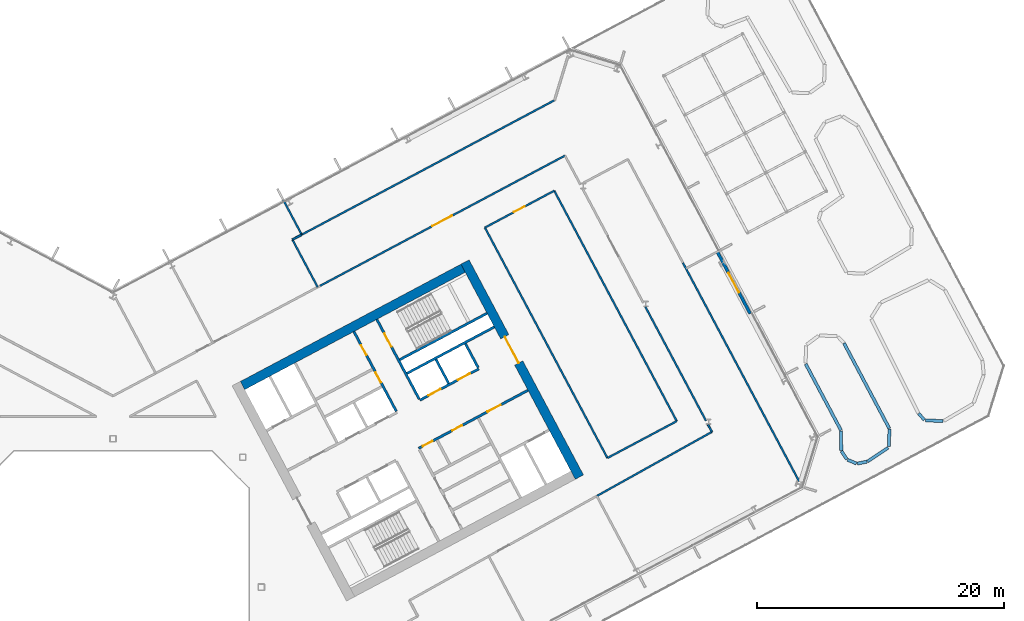
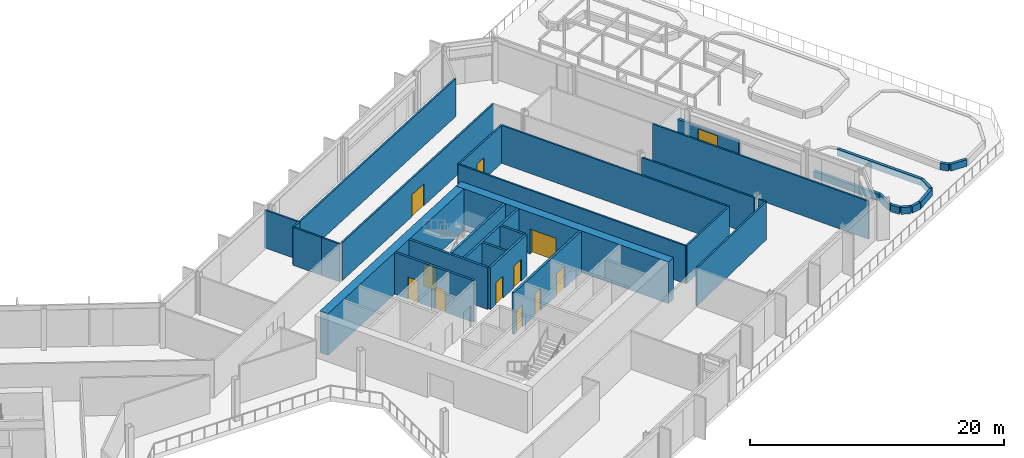
# One storey, part 21 of 34: 35 walls, 12 doors, 12 openings.
"""IFC4 building model written with IfcOpenShell, lengths in metres."""

from ifc_helpers import new_model, si_unit, direction, frame, frame_2d, origin, place, context, subcontext, project, spatial, rectangle, extrude, material, layer, layer_set, type_object, element, fill, save


model = new_model("IFC4")

# Units and contexts
model_context = context("Model", 3, precision=1e-05, world=origin(), true_north=direction((0.0, 1.0)))
body_context = subcontext(model_context, "Body", "Model", "MODEL_VIEW")
ifc_project = project(units=[si_unit("LENGTHUNIT", "METRE"), si_unit("AREAUNIT", "SQUARE_METRE"), si_unit("VOLUMEUNIT", "CUBIC_METRE"), si_unit("PLANEANGLEUNIT", "RADIAN"), si_unit("MASSUNIT", "GRAM", prefix="KILO")], contexts=[model_context])

# Site, building, storey
site_placement = place(None, origin())
site = spatial("IfcSite", under=ifc_project, at=site_placement, CompositionType="ELEMENT")
building_placement = place(site_placement, origin())
building = spatial("IfcBuilding", under=site, at=building_placement, Name="Cormorant Relay Tower", CompositionType="ELEMENT")
storey_placement = place(building_placement, frame((0.0, 0.0, 118.199951171875)))
storey = spatial("IfcBuildingStorey", under=building, at=storey_placement, Name="L23", CompositionType="ELEMENT", Elevation=118.199951171875)

# Wall
ifc_material_1 = material(Name="Concrete 40 MPa", Category="concrete")
ifc_layer_1 = layer(ifc_material_1, 0.199951171875)
ifc_layer_set_1 = layer_set([ifc_layer_1], Name="Core internal wall 200")
wall_type_1 = type_object("IfcWallType", Name="Core internal wall 200", PredefinedType="SOLIDWALL", material=ifc_layer_set_1)
wall_1_placement = place(storey_placement, frame((27.144287109375, 16.471435546875, 0.0), z_axis=(0.0, 0.0, 1.0), x_axis=(-0.469401318492, 0.882984938828, 0.0)))
element("IfcWall", 1, at=wall_1_placement, inside=storey, type_object=wall_type_1, Name="L23 core B shaft and room wall", PredefinedType="SOLIDWALL", context=body_context, shape_type="SweptSolid", body=[
    extrude(rectangle(XDim=2.199951171875, YDim=0.199951171875, at=frame_2d((1.10009765625, 0.0))), origin(), (0.0, 0.0, 1.0), 4.0),
])

# Wall, openings, doors
ifc_material_2 = material(Name="Concrete 50 MPa", Category="concrete")
ifc_layer_2 = layer(ifc_material_2, 0.199951171875)
ifc_layer_set_2 = layer_set([ifc_layer_2], Name="Core shaft wall 200")
wall_type_2 = type_object("IfcWallType", Name="Core shaft wall 200", PredefinedType="SHEAR", material=ifc_layer_set_2)
wall_2_placement = place(storey_placement, frame((22.90625, 14.218017578125, 0.0), z_axis=(0.0, 0.0, 1.0), x_axis=(-0.469480409012, 0.88294288918, 0.0)))
wall_2 = element("IfcWall", 2, at=wall_2_placement, inside=storey, type_object=wall_type_2, Name="L23 core B shaft wall", PredefinedType="SHEAR", context=body_context, shape_type="SweptSolid", body=[
    extrude(rectangle(XDim=7.300048828125, YDim=0.199951171875, at=frame_2d((3.64990234375, 0.0))), origin(), (0.0, 0.0, 1.0), 4.0),
])
opening_1_placement = place(wall_2_placement, frame((2.64990234375, 0.0, 0.0)))
opening_1 = element("IfcOpeningElement", 3, at=opening_1_placement, cuts=wall_2, Name="Opening CDD-179", PredefinedType="OPENING", context=body_context, shape_type="SweptSolid", body=[
    extrude(rectangle(XDim=0.89990234375, YDim=2.10009765625, at=frame_2d((0.449951171875, 1.050048828125))), frame((0.0, 0.10986328125, 0.0), z_axis=(0.0, -1.0, 0.0), x_axis=(1.0, 0.0, 0.0)), (0.0, 0.0, 1.0), 0.219970703125),
])
opening_2_placement = place(wall_2_placement, frame((5.14990234375, 0.0, 0.0)))
opening_2 = element("IfcOpeningElement", 4, at=opening_2_placement, cuts=wall_2, Name="Opening CDD-180", PredefinedType="OPENING", context=body_context, shape_type="SweptSolid", body=[
    extrude(rectangle(XDim=0.89990234375, YDim=2.10009765625, at=frame_2d((0.449951171875, 1.050048828125))), frame((0.0, 0.10986328125, 0.0), z_axis=(0.0, -1.0, 0.0), x_axis=(1.0, 0.0, 0.0)), (0.0, 0.0, 1.0), 0.219970703125),
])
ifc_material_3 = material(Name="Steel fire door", Category="steel")
door_type_1 = type_object("IfcDoorType", Name="Core room door 900x2100", OperationType="SINGLE_SWING_LEFT", PredefinedType="DOOR", material=ifc_material_3)
door_1_placement = place(opening_1_placement, frame((0.89990234375, 0.0, 0.0), z_axis=(0.0, 0.0, 1.0), x_axis=(-1.0, 0.0, 0.0)))
door_1 = element("IfcDoor", 5, at=door_1_placement, inside=storey, type_object=door_type_1, Name="Core room door 900x2100", OperationType="SINGLE_SWING_LEFT", OverallHeight=2.10009765625, OverallWidth=0.89990234375, PredefinedType="DOOR", context=body_context, shape_type="SweptSolid", body=[
    extrude(rectangle(XDim=0.89990234375, YDim=2.10009765625, at=frame_2d((0.449951171875, 1.050048828125))), frame((0.0, 0.02490234375, 0.0), z_axis=(0.0, -1.0, 0.0), x_axis=(1.0, 0.0, 0.0)), (0.0, 0.0, 1.0), 0.050048828125),
])
fill(opening_1, door_1)
door_2_placement = place(opening_2_placement, frame((0.89990234375, 0.0, 0.0), z_axis=(0.0, 0.0, 1.0), x_axis=(-1.0, 0.0, 0.0)))
door_2 = element("IfcDoor", 6, at=door_2_placement, inside=storey, type_object=door_type_1, Name="Core room door 900x2100", OperationType="SINGLE_SWING_LEFT", OverallHeight=2.10009765625, OverallWidth=0.89990234375, PredefinedType="DOOR", context=body_context, shape_type="SweptSolid", body=[
    extrude(rectangle(XDim=0.89990234375, YDim=2.10009765625, at=frame_2d((0.449951171875, 1.050048828125))), frame((0.0, 0.02490234375, 0.0), z_axis=(0.0, -1.0, 0.0), x_axis=(1.0, 0.0, 0.0)), (0.0, 0.0, 1.0), 0.050048828125),
])
fill(opening_2, door_2)

# Wall, opening, door
wall_3_placement = place(storey_placement, frame((24.760498046875, 15.2041015625, 0.0), z_axis=(0.0, 0.0, 1.0), x_axis=(-0.469494272526, 0.882935517501, 0.0)))
wall_3 = element("IfcWall", 7, at=wall_3_placement, inside=storey, type_object=wall_type_2, Name="L23 core B shaft wall", PredefinedType="SHEAR", context=body_context, shape_type="SweptSolid", body=[
    extrude(rectangle(XDim=7.2998046875, YDim=0.199951171875, at=frame_2d((3.64990234375, 0.0))), origin(), (0.0, 0.0, 1.0), 4.0),
])
opening_3_placement = place(wall_3_placement, frame((4.800048828125, 0.0, 0.0)))
opening_3 = element("IfcOpeningElement", 8, at=opening_3_placement, cuts=wall_3, Name="Opening CDB-037", PredefinedType="OPENING", context=body_context, shape_type="SweptSolid", body=[
    extrude(rectangle(XDim=1.199951171875, YDim=2.10009765625, at=frame_2d((0.60009765625, 1.050048828125))), frame((0.0, 0.10986328125, 0.0), z_axis=(0.0, -1.0, 0.0), x_axis=(1.0, 0.0, 0.0)), (0.0, 0.0, 1.0), 0.219970703125),
])
ifc_material_4 = material(Name="Steel fire door", Category="steel")
door_type_2 = type_object("IfcDoorType", Name="Core stair door 1200x2100", OperationType="SINGLE_SWING_LEFT", PredefinedType="DOOR", material=ifc_material_4)
door_3_placement = place(opening_3_placement, frame((1.199951171875, 0.0, 0.0), z_axis=(0.0, 0.0, 1.0), x_axis=(-1.0, 0.0, 0.0)))
door_3 = element("IfcDoor", 9, at=door_3_placement, inside=storey, type_object=door_type_2, Name="Core stair door 1200x2100", OperationType="SINGLE_SWING_RIGHT", OverallHeight=2.10009765625, OverallWidth=1.199951171875, PredefinedType="DOOR", context=body_context, shape_type="SweptSolid", body=[
    extrude(rectangle(XDim=1.199951171875, YDim=2.10009765625, at=frame_2d((0.60009765625, 1.050048828125))), frame((0.0, 0.02490234375, 0.0), z_axis=(0.0, -1.0, 0.0), x_axis=(1.0, 0.0, 0.0)), (0.0, 0.0, 1.0), 0.050048828125),
])
fill(opening_3, door_3)

# Wall
wall_4_placement = place(storey_placement, frame((29.5283203125, 17.739013671875, 0.0), z_axis=(0.0, 0.0, 1.0), x_axis=(-0.469401318492, 0.882984938828, 0.0)))
element("IfcWall", 10, at=wall_4_placement, inside=storey, type_object=wall_type_2, Name="L23 core B shaft wall", PredefinedType="SHEAR", context=body_context, shape_type="SweptSolid", body=[
    extrude(rectangle(XDim=2.199951171875, YDim=0.199951171875, at=frame_2d((1.10009765625, 0.0))), origin(), (0.0, 0.0, 1.0), 4.0),
])

# Wall, openings, doors
wall_5_placement = place(storey_placement, frame((24.72607421875, 11.2216796875, 0.0), z_axis=(0.0, 0.0, 1.0), x_axis=(0.882940221191, 0.469485426614, 0.0)))
wall_5 = element("IfcWall", 11, at=wall_5_placement, inside=storey, type_object=wall_type_2, Name="L23 core B shaft wall", PredefinedType="SHEAR", context=body_context, shape_type="SweptSolid", body=[
    extrude(rectangle(XDim=10.0, YDim=0.199951171875, at=frame_2d((5.0, 0.0))), origin(), (0.0, 0.0, 1.0), 4.0),
])
opening_4_placement = place(wall_5_placement, frame((6.300048828125, 0.0, 0.0)))
opening_4 = element("IfcOpeningElement", 12, at=opening_4_placement, cuts=wall_5, Name="Opening CDC-028", PredefinedType="OPENING", context=body_context, shape_type="SweptSolid", body=[
    extrude(rectangle(XDim=1.199951171875, YDim=2.10009765625, at=frame_2d((0.60009765625, 1.050048828125))), frame((0.0, 0.10986328125, 0.0), z_axis=(0.0, -1.0, 0.0), x_axis=(1.0, 0.0, 0.0)), (0.0, 0.0, 1.0), 0.219970703125),
])
opening_5_placement = place(wall_5_placement, frame((0.360107421875, 0.0, 0.0)))
opening_5 = element("IfcOpeningElement", 13, at=opening_5_placement, cuts=wall_5, Name="Opening CDD-177", PredefinedType="OPENING", context=body_context, shape_type="SweptSolid", body=[
    extrude(rectangle(XDim=0.89990234375, YDim=2.10009765625, at=frame_2d((0.449951171875, 1.050048828125))), frame((0.0, 0.10986328125, 0.0), z_axis=(0.0, -1.0, 0.0), x_axis=(1.0, 0.0, 0.0)), (0.0, 0.0, 1.0), 0.219970703125),
])
opening_6_placement = place(wall_5_placement, frame((3.06005859375, 0.0, 0.0)))
opening_6 = element("IfcOpeningElement", 14, at=opening_6_placement, cuts=wall_5, Name="Opening CDD-178", PredefinedType="OPENING", context=body_context, shape_type="SweptSolid", body=[
    extrude(rectangle(XDim=0.89990234375, YDim=2.10009765625, at=frame_2d((0.449951171875, 1.050048828125))), frame((0.0, 0.10986328125, 0.0), z_axis=(0.0, -1.0, 0.0), x_axis=(1.0, 0.0, 0.0)), (0.0, 0.0, 1.0), 0.219970703125),
])
ifc_material_5 = material(Name="Steel fire door", Category="steel")
door_type_3 = type_object("IfcDoorType", Name="Core lobby door 1200x2100", OperationType="SINGLE_SWING_LEFT", PredefinedType="DOOR", material=ifc_material_5)
door_4_placement = place(opening_4_placement, frame((1.199951171875, 0.0, 0.0), z_axis=(0.0, 0.0, 1.0), x_axis=(-1.0, 0.0, 0.0)))
door_4 = element("IfcDoor", 15, at=door_4_placement, inside=storey, type_object=door_type_3, Name="Core lobby door 1200x2100", OperationType="SINGLE_SWING_RIGHT", OverallHeight=2.10009765625, OverallWidth=1.199951171875, PredefinedType="DOOR", context=body_context, shape_type="SweptSolid", body=[
    extrude(rectangle(XDim=1.199951171875, YDim=2.10009765625, at=frame_2d((0.60009765625, 1.050048828125))), frame((0.0, 0.02490234375, 0.0), z_axis=(0.0, -1.0, 0.0), x_axis=(1.0, 0.0, 0.0)), (0.0, 0.0, 1.0), 0.050048828125),
])
fill(opening_4, door_4)
door_5_placement = place(opening_5_placement, frame((0.89990234375, 0.0, 0.0), z_axis=(0.0, 0.0, 1.0), x_axis=(-1.0, 0.0, 0.0)))
door_5 = element("IfcDoor", 16, at=door_5_placement, inside=storey, type_object=door_type_1, Name="Core room door 900x2100", OperationType="SINGLE_SWING_RIGHT", OverallHeight=2.10009765625, OverallWidth=0.89990234375, PredefinedType="DOOR", context=body_context, shape_type="SweptSolid", body=[
    extrude(rectangle(XDim=0.89990234375, YDim=2.10009765625, at=frame_2d((0.449951171875, 1.050048828125))), frame((0.0, 0.02490234375, 0.0), z_axis=(0.0, -1.0, 0.0), x_axis=(1.0, 0.0, 0.0)), (0.0, 0.0, 1.0), 0.050048828125),
])
fill(opening_5, door_5)
door_6_placement = place(opening_6_placement, frame((0.89990234375, 0.0, 0.0), z_axis=(0.0, 0.0, 1.0), x_axis=(-1.0, 0.0, 0.0)))
door_6 = element("IfcDoor", 17, at=door_6_placement, inside=storey, type_object=door_type_1, Name="Core room door 900x2100", OperationType="SINGLE_SWING_RIGHT", OverallHeight=2.10009765625, OverallWidth=0.89990234375, PredefinedType="DOOR", context=body_context, shape_type="SweptSolid", body=[
    extrude(rectangle(XDim=0.89990234375, YDim=2.10009765625, at=frame_2d((0.449951171875, 1.050048828125))), frame((0.0, 0.02490234375, 0.0), z_axis=(0.0, -1.0, 0.0), x_axis=(1.0, 0.0, 0.0)), (0.0, 0.0, 1.0), 0.050048828125),
])
fill(opening_6, door_6)

wall_6_placement = place(storey_placement, frame((24.807373046875, 15.11572265625, 0.0), z_axis=(0.0, 0.0, 1.0), x_axis=(0.882942972946, 0.469480251476, 0.0)))
wall_6 = element("IfcWall", 18, at=wall_6_placement, inside=storey, type_object=wall_type_2, Name="L23 core B shaft wall", PredefinedType="SHEAR", context=body_context, shape_type="SweptSolid", body=[
    extrude(rectangle(XDim=5.39990234375, YDim=0.199951171875, at=frame_2d((2.699951171875, 0.0))), origin(), (0.0, 0.0, 1.0), 4.0),
])
opening_7_placement = place(wall_6_placement, frame((0.800048828125, 0.0, 0.0)))
opening_7 = element("IfcOpeningElement", 19, at=opening_7_placement, cuts=wall_6, Name="Opening LD1-046", PredefinedType="OPENING", context=body_context, shape_type="SweptSolid", body=[
    extrude(rectangle(XDim=1.10009765625, YDim=2.10009765625, at=frame_2d((0.550048828125, 1.050048828125))), frame((0.0, 0.10986328125, 0.0), z_axis=(0.0, -1.0, 0.0), x_axis=(1.0, 0.0, 0.0)), (0.0, 0.0, 1.0), 0.219970703125),
])
opening_8_placement = place(wall_6_placement, frame((3.5, 0.0, 0.0)))
opening_8 = element("IfcOpeningElement", 20, at=opening_8_placement, cuts=wall_6, Name="Opening LD1-047", PredefinedType="OPENING", context=body_context, shape_type="SweptSolid", body=[
    extrude(rectangle(XDim=1.10009765625, YDim=2.10009765625, at=frame_2d((0.550048828125, 1.050048828125))), frame((0.0, 0.10986328125, 0.0), z_axis=(0.0, -1.0, 0.0), x_axis=(1.0, 0.0, 0.0)), (0.0, 0.0, 1.0), 0.219970703125),
])
ifc_material_6 = material(Name="Stainless steel 316", Category="steel")
door_type_4 = type_object("IfcDoorType", Name="Lift landing door 1100x2100", OperationType="DOUBLE_DOOR_SLIDING", PredefinedType="DOOR", material=ifc_material_6)
door_7_placement = place(opening_7_placement, origin())
door_7 = element("IfcDoor", 21, at=door_7_placement, inside=storey, type_object=door_type_4, Name="LR3 landing door", OperationType="DOUBLE_DOOR_SLIDING", OverallHeight=2.10009765625, OverallWidth=1.10009765625, PredefinedType="DOOR", context=body_context, shape_type="SweptSolid", body=[
    extrude(rectangle(XDim=1.10009765625, YDim=2.10009765625, at=frame_2d((0.550048828125, 1.050048828125))), frame((0.0, 0.02490234375, 0.0), z_axis=(0.0, -1.0, 0.0), x_axis=(1.0, 0.0, 0.0)), (0.0, 0.0, 1.0), 0.050048828125),
])
fill(opening_7, door_7)
door_8_placement = place(opening_8_placement, origin())
door_8 = element("IfcDoor", 22, at=door_8_placement, inside=storey, type_object=door_type_4, Name="LR4 landing door", OperationType="DOUBLE_DOOR_SLIDING", OverallHeight=2.10009765625, OverallWidth=1.10009765625, PredefinedType="DOOR", context=body_context, shape_type="SweptSolid", body=[
    extrude(rectangle(XDim=1.10009765625, YDim=2.10009765625, at=frame_2d((0.550048828125, 1.050048828125))), frame((0.0, 0.02490234375, 0.0), z_axis=(0.0, -1.0, 0.0), x_axis=(1.0, 0.0, 0.0)), (0.0, 0.0, 1.0), 0.050048828125),
])
fill(opening_8, door_8)

# Walls
wall_7_placement = place(storey_placement, frame((23.76904296875, 17.28173828125, 0.0), z_axis=(0.0, 0.0, 1.0), x_axis=(0.882940221191, 0.469485426614, 0.0)))
element("IfcWall", 23, at=wall_7_placement, inside=storey, type_object=wall_type_2, Name="L23 core B shaft wall", PredefinedType="SHEAR", context=body_context, shape_type="SweptSolid", body=[
    extrude(rectangle(XDim=8.0, YDim=0.199951171875, at=frame_2d((4.0, 0.0))), origin(), (0.0, 0.0, 1.0), 4.0),
])
wall_8_placement = place(storey_placement, frame((23.18212890625, 18.385498046875, 0.0), z_axis=(0.0, 0.0, 1.0), x_axis=(0.88295287151, 0.469461634952, 0.0)))
element("IfcWall", 24, at=wall_8_placement, inside=storey, type_object=wall_type_2, Name="L23 core B shaft wall", PredefinedType="SHEAR", context=body_context, shape_type="SweptSolid", body=[
    extrude(rectangle(XDim=7.999755859375, YDim=0.199951171875, at=frame_2d((4.0, 0.0))), origin(), (0.0, 0.0, 1.0), 4.0),
])

# Wall, opening, door
ifc_material_7 = material(Name="Concrete 60 MPa", Category="concrete")
ifc_layer_3 = layer(ifc_material_7, 0.75)
ifc_layer_set_3 = layer_set([ifc_layer_3], Name="Core wall 750")
wall_type_3 = type_object("IfcWallType", Name="Core wall 750", PredefinedType="SHEAR", material=ifc_layer_set_3)
wall_9_placement = place(storey_placement, frame((37.712646484375, 8.896484375, 0.0), z_axis=(0.0, 0.0, 1.0), x_axis=(-0.469469918705, 0.88294846703, 0.0)))
wall_9 = element("IfcWall", 25, at=wall_9_placement, inside=storey, type_object=wall_type_3, Name="L23 core B wall", PredefinedType="SHEAR", context=body_context, shape_type="SweptSolid", body=[
    extrude(rectangle(XDim=19.699951171875, YDim=0.75, at=frame_2d((9.85009765625, 0.0))), origin(), (0.0, 0.0, 1.0), 4.0),
])
opening_9_placement = place(wall_9_placement, frame((10.449951171875, 0.0, 0.0)))
opening_9 = element("IfcOpeningElement", 26, at=opening_9_placement, cuts=wall_9, Name="Opening CDA-029", PredefinedType="OPENING", context=body_context, shape_type="SweptSolid", body=[
    extrude(rectangle(XDim=2.39990234375, YDim=2.39990234375, at=frame_2d((1.199951171875, 1.199951171875))), frame((0.0, 0.385009765625, 0.0), z_axis=(0.0, -1.0, 0.0), x_axis=(1.0, 0.0, 0.0)), (0.0, 0.0, 1.0), 0.77001953125),
])
ifc_material_8 = material(Name="Steel fire door", Category="steel")
door_type_5 = type_object("IfcDoorType", Name="Core lobby door 2400x2400", OperationType="DOUBLE_DOOR_SINGLE_SWING", PredefinedType="DOOR", material=ifc_material_8)
door_9_placement = place(opening_9_placement, origin())
door_9 = element("IfcDoor", 27, at=door_9_placement, inside=storey, type_object=door_type_5, Name="Core lobby door 2400x2400", OperationType="DOUBLE_DOOR_SINGLE_SWING", OverallHeight=2.39990234375, OverallWidth=2.39990234375, PredefinedType="DOOR", context=body_context, shape_type="SweptSolid", body=[
    extrude(rectangle(XDim=2.39990234375, YDim=2.39990234375, at=frame_2d((1.199951171875, 1.199951171875))), frame((0.0, 0.02490234375, 0.0), z_axis=(0.0, -1.0, 0.0), x_axis=(1.0, 0.0, 0.0)), (0.0, 0.0, 1.0), 0.050048828125),
])
fill(opening_9, door_9)

# Wall
wall_10_placement = place(storey_placement, frame((10.4736328125, 16.300048828125, 0.0), z_axis=(0.0, 0.0, 1.0), x_axis=(0.88295010195, 0.469466843842, 0.0)))
element("IfcWall", 28, at=wall_10_placement, inside=storey, type_object=wall_type_3, Name="L23 core B wall", PredefinedType="SHEAR", context=body_context, shape_type="SweptSolid", body=[
    extrude(rectangle(XDim=20.199951171875, YDim=0.75, at=frame_2d((10.10009765625, 0.0))), origin(), (0.0, 0.0, 1.0), 4.0),
])

# Wall, opening, door
ifc_material_9 = material(Name="Gypsum board fire partition")
ifc_layer_4 = layer(ifc_material_9, 0.14990234375)
ifc_layer_set_4 = layer_set([ifc_layer_4], Name="Corridor partition 150 EI 60")
wall_type_4 = type_object("IfcWallType", Name="Corridor partition 150 EI 60", PredefinedType="PARTITIONING", material=ifc_layer_set_4)
wall_11_placement = place(storey_placement, frame((36.547119140625, 34.89208984375, 0.0), z_axis=(0.0, 0.0, 1.0), x_axis=(-0.882949665217, -0.469467665226, 0.0)))
wall_11 = element("IfcWall", 29, at=wall_11_placement, inside=storey, type_object=wall_type_4, Name="wall/L23/part/062", PredefinedType="PARTITIONING", context=body_context, shape_type="SweptSolid", body=[
    extrude(rectangle(XDim=22.431884765625, YDim=0.14990234375, at=frame_2d((11.2158203125, 0.0))), origin(), (0.0, 0.0, 1.0), 3.64013671875),
])
opening_10_placement = place(wall_11_placement, frame((10.35009765625, 0.0, 0.0)))
opening_10 = element("IfcOpeningElement", 30, at=opening_10_placement, cuts=wall_11, Name="Opening DD-003", PredefinedType="OPENING", context=body_context, shape_type="SweptSolid", body=[
    extrude(rectangle(XDim=1.800048828125, YDim=2.10009765625, at=frame_2d((0.89990234375, 1.050048828125))), frame((0.0, 0.0849609375, 0.0), z_axis=(0.0, -1.0, 0.0), x_axis=(1.0, 0.0, 0.0)), (0.0, 0.0, 1.0), 0.169921875),
])
ifc_material_10 = material(Name="Timber door leaf", Category="wood")
door_type_6 = type_object("IfcDoorType", Name="Suite double door 1800x2100", OperationType="DOUBLE_DOOR_SINGLE_SWING", PredefinedType="DOOR", material=ifc_material_10)
door_10_placement = place(opening_10_placement, frame((1.800048828125, 0.0, 0.0), z_axis=(0.0, 0.0, 1.0), x_axis=(-1.0, 0.0, 0.0)))
door_10 = element("IfcDoor", 31, at=door_10_placement, inside=storey, type_object=door_type_6, Name="door/L23/007", OperationType="DOUBLE_DOOR_SINGLE_SWING", OverallHeight=2.10009765625, OverallWidth=1.800048828125, PredefinedType="DOOR", context=body_context, shape_type="SweptSolid", body=[
    extrude(rectangle(XDim=1.800048828125, YDim=2.10009765625, at=frame_2d((0.89990234375, 1.050048828125))), frame((0.0, 0.02490234375, 0.0), z_axis=(0.0, -1.0, 0.0), x_axis=(1.0, 0.0, 0.0)), (0.0, 0.0, 1.0), 0.050048828125),
])
fill(opening_10, door_10)

# Walls
wall_12_placement = place(storey_placement, frame((43.0439453125, 22.672119140625, 0.0), z_axis=(0.0, 0.0, 1.0), x_axis=(0.469530755038, -0.882916117235, 0.0)))
element("IfcWall", 32, at=wall_12_placement, inside=storey, type_object=wall_type_4, Name="wall/L23/part/069", PredefinedType="PARTITIONING", context=body_context, shape_type="SweptSolid", body=[
    extrude(rectangle(XDim=10.4404296875, YDim=0.14990234375, at=frame_2d((5.22021484375, 0.0))), origin(), (0.0, 0.0, 1.0), 3.64013671875),
])
wall_13_placement = place(storey_placement, frame((48.114990234375, 13.135986328125, 0.0), z_axis=(0.0, 0.0, 1.0), x_axis=(0.469551655302, -0.882905002253, 0.0)))
element("IfcWall", 33, at=wall_13_placement, inside=storey, type_object=wall_type_4, Name="wall/L23/part/070", PredefinedType="PARTITIONING", context=body_context, shape_type="SweptSolid", body=[
    extrude(rectangle(XDim=0.660400390625, YDim=0.14990234375, at=frame_2d((0.330078125, 0.0))), origin(), (0.0, 0.0, 1.0), 3.64013671875),
])
wall_14_placement = place(storey_placement, frame((48.425048828125, 12.552978515625, 0.0), z_axis=(0.0, 0.0, 1.0), x_axis=(-0.873557655627, -0.486720682009, 0.0)))
element("IfcWall", 34, at=wall_14_placement, inside=storey, type_object=wall_type_4, Name="wall/L23/part/071", PredefinedType="PARTITIONING", context=body_context, shape_type="SweptSolid", body=[
    extrude(rectangle(XDim=10.632568359375, YDim=0.14990234375, at=frame_2d((5.31640625, 0.0))), origin(), (0.0, 0.0, 1.0), 3.64013671875),
])

# Wall, opening, door
wall_15_placement = place(storey_placement, frame((30.072021484375, 29.071044921875, 0.0), z_axis=(0.0, 0.0, 1.0), x_axis=(0.882967334814, 0.469434431685, 0.0)))
wall_15 = element("IfcWall", 35, at=wall_15_placement, inside=storey, type_object=wall_type_4, Name="wall/L23/part/083", PredefinedType="PARTITIONING", context=body_context, shape_type="SweptSolid", body=[
    extrude(rectangle(XDim=6.35009765625, YDim=0.14990234375, at=frame_2d((3.175048828125, 0.0))), origin(), (0.0, 0.0, 1.0), 3.64013671875),
])
opening_11_placement = place(wall_15_placement, frame((2.64990234375, 0.0, 0.0)))
opening_11 = element("IfcOpeningElement", 36, at=opening_11_placement, cuts=wall_15, Name="Opening DS-017", PredefinedType="OPENING", context=body_context, shape_type="SweptSolid", body=[
    extrude(rectangle(XDim=1.0, YDim=2.10009765625, at=frame_2d((0.5, 1.050048828125))), frame((0.0, 0.0849609375, 0.0), z_axis=(0.0, -1.0, 0.0), x_axis=(1.0, 0.0, 0.0)), (0.0, 0.0, 1.0), 0.169921875),
])
ifc_material_11 = material(Name="Timber door leaf", Category="wood")
door_type_7 = type_object("IfcDoorType", Name="Suite door 1000x2100", OperationType="SINGLE_SWING_LEFT", PredefinedType="DOOR", material=ifc_material_11)
door_11_placement = place(opening_11_placement, origin())
door_11 = element("IfcDoor", 37, at=door_11_placement, inside=storey, type_object=door_type_7, Name="door/L23/021", OperationType="SINGLE_SWING_LEFT", OverallHeight=2.10009765625, OverallWidth=1.0, PredefinedType="DOOR", context=body_context, shape_type="SweptSolid", body=[
    extrude(rectangle(XDim=1.0, YDim=2.10009765625, at=frame_2d((0.5, 1.050048828125))), frame((0.0, 0.02490234375, 0.0), z_axis=(0.0, -1.0, 0.0), x_axis=(1.0, 0.0, 0.0)), (0.0, 0.0, 1.0), 0.050048828125),
])
fill(opening_11, door_11)

# Walls
wall_16_placement = place(storey_placement, frame((35.678955078125, 32.052001953125, 0.0), z_axis=(0.0, 0.0, 1.0), x_axis=(0.469483439962, -0.88294127755, 0.0)))
element("IfcWall", 38, at=wall_16_placement, inside=storey, type_object=wall_type_4, Name="wall/L23/part/084", PredefinedType="PARTITIONING", context=body_context, shape_type="SweptSolid", body=[
    extrude(rectangle(XDim=21.099853515625, YDim=0.14990234375, at=frame_2d((10.5498046875, 0.0))), origin(), (0.0, 0.0, 1.0), 3.64013671875),
])
wall_17_placement = place(storey_placement, frame((45.5849609375, 13.422119140625, 0.0), z_axis=(0.0, 0.0, 1.0), x_axis=(-0.88295139861, -0.469464405139, 0.0)))
element("IfcWall", 39, at=wall_17_placement, inside=storey, type_object=wall_type_4, Name="wall/L23/part/085", PredefinedType="PARTITIONING", context=body_context, shape_type="SweptSolid", body=[
    extrude(rectangle(XDim=6.35009765625, YDim=0.14990234375, at=frame_2d((3.175048828125, 0.0))), origin(), (0.0, 0.0, 1.0), 3.64013671875),
])
wall_18_placement = place(storey_placement, frame((39.97802734375, 10.44091796875, 0.0), z_axis=(0.0, 0.0, 1.0), x_axis=(-0.469478643621, 0.882943827876, 0.0)))
element("IfcWall", 40, at=wall_18_placement, inside=storey, type_object=wall_type_4, Name="wall/L23/part/086", PredefinedType="PARTITIONING", context=body_context, shape_type="SweptSolid", body=[
    extrude(rectangle(XDim=21.10009765625, YDim=0.14990234375, at=frame_2d((10.550048828125, 0.0))), origin(), (0.0, 0.0, 1.0), 3.64013671875),
])
ifc_material_12 = material(Name="Concrete 40 MPa", Category="concrete")
ifc_layer_5 = layer(ifc_material_12, 0.25)
ifc_layer_set_5 = layer_set([ifc_layer_5], Name="Planter kerb 250")
wall_type_5 = type_object("IfcWallType", Name="Planter kerb 250", PredefinedType="STANDARD", material=ifc_layer_set_5)
wall_19_placement = place(storey_placement, frame((60.970703125, 10.1455078125, 0.0), z_axis=(0.0, 0.0, 1.0), x_axis=(-0.981195400222, -0.193017062931, 0.0)))
element("IfcWall", 41, at=wall_19_placement, inside=storey, type_object=wall_type_5, Name="Terrace PLANTER 23-01 kerb", PredefinedType="STANDARD", context=body_context, shape_type="SweptSolid", body=[
    extrude(rectangle(XDim=0.80322265625, YDim=0.25, at=frame_2d((0.401611328125, 0.0))), origin(), (0.0, 0.0, 1.0), 0.650146484375),
])
wall_20_placement = place(storey_placement, frame((60.110107421875, 9.997802734375, 0.0), z_axis=(0.0, 0.0, 1.0), x_axis=(-0.922983951204, 0.384838441193, 0.0)))
element("IfcWall", 42, at=wall_20_placement, inside=storey, type_object=wall_type_5, Name="Terrace PLANTER 23-01 kerb", PredefinedType="STANDARD", context=body_context, shape_type="SweptSolid", body=[
    extrude(rectangle(XDim=0.777099609375, YDim=0.25, at=frame_2d((0.388671875, 0.0))), origin(), (0.0, 0.0, 1.0), 0.650146484375),
])
wall_21_placement = place(storey_placement, frame((59.3369140625, 10.343017578125, 0.0), z_axis=(0.0, 0.0, 1.0), x_axis=(-0.553904207115, 0.83258040413, 0.0)))
element("IfcWall", 43, at=wall_21_placement, inside=storey, type_object=wall_type_5, Name="Terrace PLANTER 23-01 kerb", PredefinedType="STANDARD", context=body_context, shape_type="SweptSolid", body=[
    extrude(rectangle(XDim=0.77880859375, YDim=0.25, at=frame_2d((0.389404296875, 0.0))), origin(), (0.0, 0.0, 1.0), 0.650146484375),
])
wall_22_placement = place(storey_placement, frame((58.884765625, 11.0595703125, 0.0), z_axis=(0.0, 0.0, 1.0), x_axis=(-0.008383496712, 0.999964857874, 0.0)))
element("IfcWall", 44, at=wall_22_placement, inside=storey, type_object=wall_type_5, Name="Terrace PLANTER 23-01 kerb", PredefinedType="STANDARD", context=body_context, shape_type="SweptSolid", body=[
    extrude(rectangle(XDim=1.572509765625, YDim=0.25, at=frame_2d((0.7861328125, 0.0))), origin(), (0.0, 0.0, 1.0), 0.650146484375),
])
wall_23_placement = place(storey_placement, frame((58.85693359375, 12.689697265625, 0.0), z_axis=(0.0, 0.0, 1.0), x_axis=(-0.469488031835, 0.882938835913, 0.0)))
element("IfcWall", 45, at=wall_23_placement, inside=storey, type_object=wall_type_5, Name="Terrace PLANTER 23-01 kerb", PredefinedType="STANDARD", context=body_context, shape_type="SweptSolid", body=[
    extrude(rectangle(XDim=6.060302734375, YDim=0.25, at=frame_2d((3.0302734375, 0.0))), origin(), (0.0, 0.0, 1.0), 0.650146484375),
])
wall_24_placement = place(storey_placement, frame((59.106201171875, 19.724609375, 0.0), z_axis=(0.0, 0.0, 1.0), x_axis=(0.469458799451, -0.882954379126, 0.0)))
element("IfcWall", 46, at=wall_24_placement, inside=storey, type_object=wall_type_5, Name="Terrace PLANTER 23-01 kerb", PredefinedType="STANDARD", context=body_context, shape_type="SweptSolid", body=[
    extrude(rectangle(XDim=7.80029296875, YDim=0.25, at=frame_2d((3.900146484375, 0.0))), origin(), (0.0, 0.0, 1.0), 0.650146484375),
])
wall_25_placement = place(storey_placement, frame((62.78271484375, 12.7744140625, 0.0), z_axis=(0.0, 0.0, 1.0), x_axis=(-0.034935183585, -0.999389580168, 0.0)))
element("IfcWall", 47, at=wall_25_placement, inside=storey, type_object=wall_type_5, Name="Terrace PLANTER 23-01 kerb", PredefinedType="STANDARD", context=body_context, shape_type="SweptSolid", body=[
    extrude(rectangle(XDim=1.40478515625, YDim=0.25, at=frame_2d((0.702392578125, 0.0))), origin(), (0.0, 0.0, 1.0), 0.650146484375),
])
wall_26_placement = place(storey_placement, frame((62.677978515625, 11.27099609375, 0.0), z_axis=(0.0, 0.0, 1.0), x_axis=(-0.832369922169, -0.554220454934, 0.0)))
element("IfcWall", 48, at=wall_26_placement, inside=storey, type_object=wall_type_5, Name="Terrace PLANTER 23-01 kerb", PredefinedType="STANDARD", context=body_context, shape_type="SweptSolid", body=[
    extrude(rectangle(XDim=1.996826171875, YDim=0.25, at=frame_2d((0.99853515625, 0.0))), origin(), (0.0, 0.0, 1.0), 0.650146484375),
])
wall_27_placement = place(storey_placement, frame((67.12451171875, 13.4296875, 0.0), z_axis=(0.0, 0.0, 1.0), x_axis=(-0.999393922683, 0.034810735468, 0.0)))
element("IfcWall", 49, at=wall_27_placement, inside=storey, type_object=wall_type_5, Name="Terrace PLANTER 23-02 kerb", PredefinedType="STANDARD", context=body_context, shape_type="SweptSolid", body=[
    extrude(rectangle(XDim=1.423828125, YDim=0.25, at=frame_2d((0.7119140625, 0.0))), origin(), (0.0, 0.0, 1.0), 0.650146484375),
])
wall_28_placement = place(storey_placement, frame((65.614501953125, 13.51904296875, 0.0), z_axis=(0.0, 0.0, 1.0), x_axis=(-0.68185067626, 0.731491391121, 0.0)))
element("IfcWall", 50, at=wall_28_placement, inside=storey, type_object=wall_type_5, Name="Terrace PLANTER 23-02 kerb", PredefinedType="STANDARD", context=body_context, shape_type="SweptSolid", body=[
    extrude(rectangle(XDim=0.6884765625, YDim=0.25, at=frame_2d((0.34423828125, 0.0))), origin(), (0.0, 0.0, 1.0), 0.650146484375),
])
ifc_material_13 = material(Name="Gypsum board partition")
ifc_layer_6 = layer(ifc_material_13, 0.14990234375)
ifc_layer_set_6 = layer_set([ifc_layer_6], Name="Tenant partition 150")
wall_type_6 = type_object("IfcWallType", Name="Tenant partition 150", PredefinedType="PARTITIONING", material=ifc_layer_set_6)
wall_29_placement = place(storey_placement, frame((15.760986328125, 25.739013671875, 0.0), z_axis=(0.0, 0.0, 1.0), x_axis=(0.469318416257, -0.883029005278, 0.0)))
element("IfcWall", 51, at=wall_29_placement, inside=storey, type_object=wall_type_6, Name="wall/L23/part/047", PredefinedType="PARTITIONING", context=body_context, shape_type="SweptSolid", body=[
    extrude(rectangle(XDim=1.67724609375, YDim=0.14990234375, at=frame_2d((0.838623046875, 0.0))), origin(), (0.0, 0.0, 1.0), 3.64013671875),
])
wall_30_placement = place(storey_placement, frame((13.757080078125, 31.324951171875, 0.0), z_axis=(0.0, 0.0, 1.0), x_axis=(0.469685095616, -0.882834022315, 0.0)))
element("IfcWall", 52, at=wall_30_placement, inside=storey, type_object=wall_type_6, Name="wall/L23/part/054", PredefinedType="PARTITIONING", context=body_context, shape_type="SweptSolid", body=[
    extrude(rectangle(XDim=3.199951171875, YDim=0.14990234375, at=frame_2d((1.60009765625, 0.0))), origin(), (0.0, 0.0, 1.0), 3.64013671875),
])
wall_31_placement = place(storey_placement, frame((15.258056640625, 28.4990234375, 0.0), z_axis=(0.0, 0.0, 1.0), x_axis=(0.882941691772, 0.469482660948, 0.0)))
element("IfcWall", 53, at=wall_31_placement, inside=storey, type_object=wall_type_6, Name="wall/L23/part/055", PredefinedType="PARTITIONING", context=body_context, shape_type="SweptSolid", body=[
    extrude(rectangle(XDim=23.148681640625, YDim=0.14990234375, at=frame_2d((11.57421875, 0.0))), origin(), (0.0, 0.0, 1.0), 3.64013671875),
])
wall_32_placement = place(storey_placement, frame((15.760986328125, 25.739013671875, 0.0), z_axis=(0.0, 0.0, 1.0), x_axis=(-0.469469065188, 0.882948920851, 0.0)))
element("IfcWall", 54, at=wall_32_placement, inside=storey, type_object=wall_type_6, Name="wall/L23/part/057", PredefinedType="PARTITIONING", context=body_context, shape_type="SweptSolid", body=[
    extrude(rectangle(XDim=2.673095703125, YDim=0.14990234375, at=frame_2d((1.33642578125, 0.0))), origin(), (0.0, 0.0, 1.0), 3.64013671875),
])
wall_33_placement = place(storey_placement, frame((14.506103515625, 28.09912109375, 0.0), z_axis=(0.0, 0.0, 1.0), x_axis=(0.882907789101, 0.469546415113, 0.0)))
element("IfcWall", 55, at=wall_33_placement, inside=storey, type_object=wall_type_6, Name="wall/L23/part/058", PredefinedType="PARTITIONING", context=body_context, shape_type="SweptSolid", body=[
    extrude(rectangle(XDim=0.8515625, YDim=0.14990234375, at=frame_2d((0.42578125, 0.0))), origin(), (0.0, 0.0, 1.0), 3.64013671875),
])
wall_34_placement = place(storey_placement, frame((46.0810546875, 26.22607421875, 0.0), z_axis=(0.0, 0.0, 1.0), x_axis=(0.469497962096, -0.88293355559, 0.0)))
element("IfcWall", 56, at=wall_34_placement, inside=storey, type_object=wall_type_6, Name="wall/L23/part/072", PredefinedType="PARTITIONING", context=body_context, shape_type="SweptSolid", body=[
    extrude(rectangle(XDim=20.031982421875, YDim=0.14990234375, at=frame_2d((10.01611328125, 0.0))), origin(), (0.0, 0.0, 1.0), 3.64013671875),
])

# Wall, opening, door
ifc_material_14 = material(Name="Bronze anodised aluminium cladding on steel stud", Category="steel")
ifc_layer_7 = layer(ifc_material_14, 0.25)
ifc_layer_set_7 = layer_set([ifc_layer_7], Name="Terrace entrance wall 250")
wall_type_7 = type_object("IfcWallType", Name="Terrace entrance wall 250", PredefinedType="STANDARD", material=ifc_layer_set_7)
wall_35_placement = place(storey_placement, frame((51.525390625, 22.111328125, 0.0), z_axis=(0.0, 0.0, 1.0), x_axis=(-0.469442908777, 0.88296282787, 0.0)))
wall_35 = element("IfcWall", 57, at=wall_35_placement, inside=storey, type_object=wall_type_7, Name="Terrace entrance wall", PredefinedType="STANDARD", context=body_context, shape_type="SweptSolid", body=[
    extrude(rectangle(XDim=5.66650390625, YDim=0.25, at=frame_2d((2.833251953125, 0.0))), origin(), (0.0, 0.0, 1.0), 2.619140625),
])
opening_12_placement = place(wall_35_placement, frame((1.933349609375, 0.0, 0.0)))
opening_12 = element("IfcOpeningElement", 58, at=opening_12_placement, cuts=wall_35, Name="Opening TD1-009", PredefinedType="OPENING", context=body_context, shape_type="SweptSolid", body=[
    extrude(rectangle(XDim=1.800048828125, YDim=2.39990234375, at=frame_2d((0.89990234375, 1.199951171875))), frame((0.0, 0.135009765625, 0.0), z_axis=(0.0, -1.0, 0.0), x_axis=(1.0, 0.0, 0.0)), (0.0, 0.0, 1.0), 0.27001953125),
])
ifc_material_15 = material(Name="Bronze framed glass door", Category="glass")
door_type_8 = type_object("IfcDoorType", Name="Door terrace glazed 1800", OperationType="DOUBLE_DOOR_SINGLE_SWING", PredefinedType="DOOR", material=ifc_material_15)
door_12_placement = place(opening_12_placement, origin())
door_12 = element("IfcDoor", 59, at=door_12_placement, inside=storey, type_object=door_type_8, Name="Terrace door", OperationType="DOUBLE_DOOR_SINGLE_SWING", OverallHeight=2.39990234375, OverallWidth=1.800048828125, PredefinedType="DOOR", context=body_context, shape_type="SweptSolid", body=[
    extrude(rectangle(XDim=1.800048828125, YDim=2.39990234375, at=frame_2d((0.89990234375, 1.199951171875))), frame((0.0, 0.02490234375, 0.0), z_axis=(0.0, -1.0, 0.0), x_axis=(1.0, 0.0, 0.0)), (0.0, 0.0, 1.0), 0.050048828125),
])
fill(opening_12, door_12)

save(model, "model.ifc")
